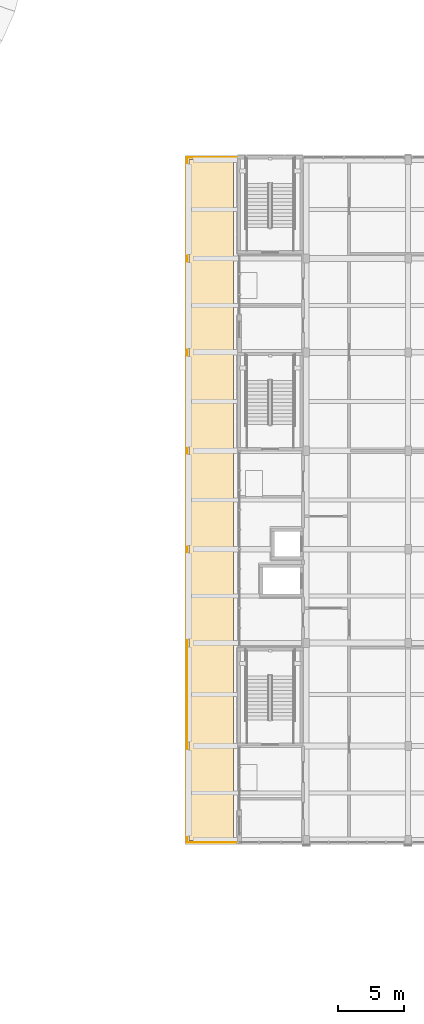
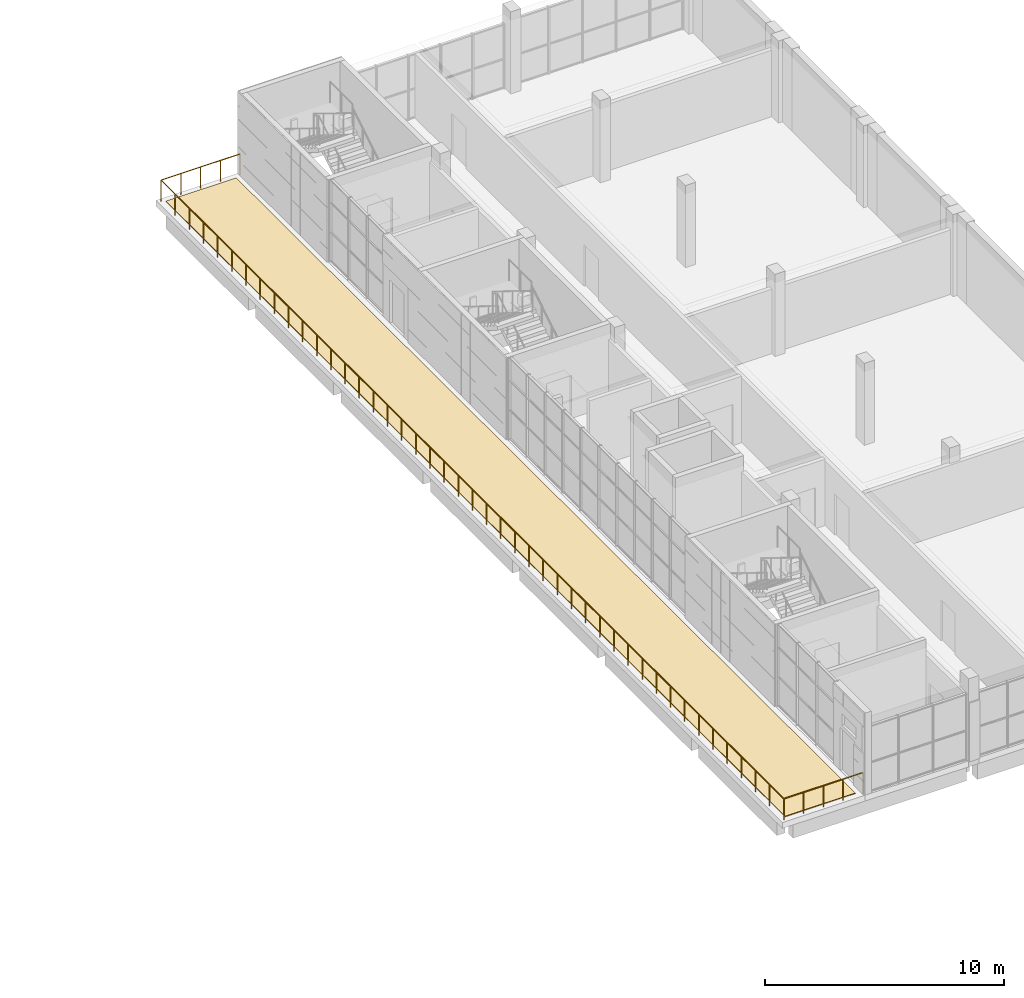
# One storey, part 34 of 36: 1 covering, 1 railing.
"""IFC4 building model written with IfcOpenShell, lengths in metres."""

from ifc_helpers import new_model, si_unit, direction, frame, origin, origin_2d, place, context, subcontext, project, spatial, polyline, circle, outline, extrude, material, layer, layer_set, type_object, element, save


model = new_model("IFC4")

# Units and contexts
model_context = context("Model", 3, precision=1e-05, world=origin(), true_north=direction((0.0, 1.0)))
body_context = subcontext(model_context, "Body", "Model", "MODEL_VIEW")
ifc_project = project(units=[si_unit("LENGTHUNIT", "METRE"), si_unit("AREAUNIT", "SQUARE_METRE"), si_unit("VOLUMEUNIT", "CUBIC_METRE"), si_unit("PLANEANGLEUNIT", "RADIAN"), si_unit("MASSUNIT", "GRAM", prefix="KILO")], contexts=[model_context])

# Site, building, storey
site_placement = place(None, origin())
site = spatial("IfcSite", under=ifc_project, at=site_placement, CompositionType="ELEMENT")
building_placement = place(site_placement, origin())
building = spatial("IfcBuilding", under=site, at=building_placement, Name="Sun Court Science Centre", CompositionType="ELEMENT")
storey_placement = place(building_placement, frame((0.0, 0.0, 24.75)))
storey = spatial("IfcBuildingStorey", under=building, at=storey_placement, Name="L05", CompositionType="ELEMENT", Elevation=24.75)

# Railing
ifc_material_1 = material(Name="Steel S275", Category="steel")
railing_type = type_object("IfcRailingType", Name="Roof guard 1100 steel balustrade", PredefinedType="GUARDRAIL", material=ifc_material_1)
railing_placement = place(storey_placement, frame((81.97900390625, 28.64990234375, 0.0)))
element("IfcRailing", 1, at=railing_placement, inside=storey, type_object=railing_type, Name="West terrace guard", PredefinedType="GUARDRAIL", context=body_context, shape_type="SweptSolid", body=[
    extrude(circle(Radius=0.02392578125, at=origin_2d()), frame((0.0, 0.0, 1.076171875), z_axis=(-1.0, 0.0, 0.0), x_axis=(0.0, -1.0, 0.0)), (0.0, 0.0, 1.0), 3.8291015625),
    extrude(circle(Radius=0.02392578125, at=origin_2d()), frame((-3.8291015625, 0.0, 1.076171875), z_axis=(0.0, 1.0, 0.0), x_axis=(-1.0, 0.0, 0.0)), (0.0, 0.0, 1.0), 52.2001953125),
    extrude(circle(Radius=0.02392578125, at=origin_2d()), frame((-3.8291015625, 52.2001953125, 1.076171875), z_axis=(1.0, 0.0, 0.0), x_axis=(0.0, 1.0, 0.0)), (0.0, 0.0, 1.0), 3.8291015625),
    extrude(circle(Radius=0.02099609375, at=origin_2d()), origin(), (0.0, 0.0, 1.0), 1.052001953125),
    extrude(circle(Radius=0.02099609375, at=origin_2d()), frame((-0.957275390625, 0.0, 0.0)), (0.0, 0.0, 1.0), 1.052001953125),
    extrude(circle(Radius=0.02099609375, at=origin_2d()), frame((-1.91455078125, 0.0, 0.0)), (0.0, 0.0, 1.0), 1.052001953125),
    extrude(circle(Radius=0.02099609375, at=origin_2d()), frame((-2.871826171875, 0.0, 0.0)), (0.0, 0.0, 1.0), 1.052001953125),
    extrude(circle(Radius=0.02099609375, at=origin_2d()), frame((-3.8291015625, 0.0, 0.0)), (0.0, 0.0, 1.0), 1.052001953125),
    extrude(circle(Radius=0.02099609375, at=origin_2d()), frame((-3.8291015625, 1.186279296875, 0.0)), (0.0, 0.0, 1.0), 1.052001953125),
    extrude(circle(Radius=0.02099609375, at=origin_2d()), frame((-3.8291015625, 2.372802734375, 0.0)), (0.0, 0.0, 1.0), 1.052001953125),
    extrude(circle(Radius=0.02099609375, at=origin_2d()), frame((-3.8291015625, 3.55908203125, 0.0)), (0.0, 0.0, 1.0), 1.052001953125),
    extrude(circle(Radius=0.02099609375, at=origin_2d()), frame((-3.8291015625, 4.745361328125, 0.0)), (0.0, 0.0, 1.0), 1.052001953125),
    extrude(circle(Radius=0.02099609375, at=origin_2d()), frame((-3.8291015625, 5.931884765625, 0.0)), (0.0, 0.0, 1.0), 1.052001953125),
    extrude(circle(Radius=0.02099609375, at=origin_2d()), frame((-3.8291015625, 7.1181640625, 0.0)), (0.0, 0.0, 1.0), 1.052001953125),
    extrude(circle(Radius=0.02099609375, at=origin_2d()), frame((-3.8291015625, 8.3046875, 0.0)), (0.0, 0.0, 1.0), 1.052001953125),
    extrude(circle(Radius=0.02099609375, at=origin_2d()), frame((-3.8291015625, 9.490966796875, 0.0)), (0.0, 0.0, 1.0), 1.052001953125),
    extrude(circle(Radius=0.02099609375, at=origin_2d()), frame((-3.8291015625, 10.67724609375, 0.0)), (0.0, 0.0, 1.0), 1.052001953125),
    extrude(circle(Radius=0.02099609375, at=origin_2d()), frame((-3.8291015625, 11.86376953125, 0.0)), (0.0, 0.0, 1.0), 1.052001953125),
    extrude(circle(Radius=0.02099609375, at=origin_2d()), frame((-3.8291015625, 13.050048828125, 0.0)), (0.0, 0.0, 1.0), 1.052001953125),
    extrude(circle(Radius=0.02099609375, at=origin_2d()), frame((-3.8291015625, 14.236328125, 0.0)), (0.0, 0.0, 1.0), 1.052001953125),
    extrude(circle(Radius=0.02099609375, at=origin_2d()), frame((-3.8291015625, 15.4228515625, 0.0)), (0.0, 0.0, 1.0), 1.052001953125),
    extrude(circle(Radius=0.02099609375, at=origin_2d()), frame((-3.8291015625, 16.609130859375, 0.0)), (0.0, 0.0, 1.0), 1.052001953125),
    extrude(circle(Radius=0.02099609375, at=origin_2d()), frame((-3.8291015625, 17.79541015625, 0.0)), (0.0, 0.0, 1.0), 1.052001953125),
    extrude(circle(Radius=0.02099609375, at=origin_2d()), frame((-3.8291015625, 18.98193359375, 0.0)), (0.0, 0.0, 1.0), 1.052001953125),
    extrude(circle(Radius=0.02099609375, at=origin_2d()), frame((-3.8291015625, 20.168212890625, 0.0)), (0.0, 0.0, 1.0), 1.052001953125),
    extrude(circle(Radius=0.02099609375, at=origin_2d()), frame((-3.8291015625, 21.354736328125, 0.0)), (0.0, 0.0, 1.0), 1.052001953125),
    extrude(circle(Radius=0.02099609375, at=origin_2d()), frame((-3.8291015625, 22.541015625, 0.0)), (0.0, 0.0, 1.0), 1.052001953125),
    extrude(circle(Radius=0.02099609375, at=origin_2d()), frame((-3.8291015625, 23.727294921875, 0.0)), (0.0, 0.0, 1.0), 1.052001953125),
    extrude(circle(Radius=0.02099609375, at=origin_2d()), frame((-3.8291015625, 24.913818359375, 0.0)), (0.0, 0.0, 1.0), 1.052001953125),
    extrude(circle(Radius=0.02099609375, at=origin_2d()), frame((-3.8291015625, 26.10009765625, 0.0)), (0.0, 0.0, 1.0), 1.052001953125),
    extrude(circle(Radius=0.02099609375, at=origin_2d()), frame((-3.8291015625, 27.286376953125, 0.0)), (0.0, 0.0, 1.0), 1.052001953125),
    extrude(circle(Radius=0.02099609375, at=origin_2d()), frame((-3.8291015625, 28.472900390625, 0.0)), (0.0, 0.0, 1.0), 1.052001953125),
    extrude(circle(Radius=0.02099609375, at=origin_2d()), frame((-3.8291015625, 29.6591796875, 0.0)), (0.0, 0.0, 1.0), 1.052001953125),
    extrude(circle(Radius=0.02099609375, at=origin_2d()), frame((-3.8291015625, 30.845458984375, 0.0)), (0.0, 0.0, 1.0), 1.052001953125),
    extrude(circle(Radius=0.02099609375, at=origin_2d()), frame((-3.8291015625, 32.031982421875, 0.0)), (0.0, 0.0, 1.0), 1.052001953125),
    extrude(circle(Radius=0.02099609375, at=origin_2d()), frame((-3.8291015625, 33.21826171875, 0.0)), (0.0, 0.0, 1.0), 1.052001953125),
    extrude(circle(Radius=0.02099609375, at=origin_2d()), frame((-3.8291015625, 34.40478515625, 0.0)), (0.0, 0.0, 1.0), 1.052001953125),
    extrude(circle(Radius=0.02099609375, at=origin_2d()), frame((-3.8291015625, 35.591064453125, 0.0)), (0.0, 0.0, 1.0), 1.052001953125),
    extrude(circle(Radius=0.02099609375, at=origin_2d()), frame((-3.8291015625, 36.77734375, 0.0)), (0.0, 0.0, 1.0), 1.052001953125),
    extrude(circle(Radius=0.02099609375, at=origin_2d()), frame((-3.8291015625, 37.9638671875, 0.0)), (0.0, 0.0, 1.0), 1.052001953125),
    extrude(circle(Radius=0.02099609375, at=origin_2d()), frame((-3.8291015625, 39.150146484375, 0.0)), (0.0, 0.0, 1.0), 1.052001953125),
    extrude(circle(Radius=0.02099609375, at=origin_2d()), frame((-3.8291015625, 40.33642578125, 0.0)), (0.0, 0.0, 1.0), 1.052001953125),
    extrude(circle(Radius=0.02099609375, at=origin_2d()), frame((-3.8291015625, 41.52294921875, 0.0)), (0.0, 0.0, 1.0), 1.052001953125),
    extrude(circle(Radius=0.02099609375, at=origin_2d()), frame((-3.8291015625, 42.709228515625, 0.0)), (0.0, 0.0, 1.0), 1.052001953125),
    extrude(circle(Radius=0.02099609375, at=origin_2d()), frame((-3.8291015625, 43.8955078125, 0.0)), (0.0, 0.0, 1.0), 1.052001953125),
    extrude(circle(Radius=0.02099609375, at=origin_2d()), frame((-3.8291015625, 45.08203125, 0.0)), (0.0, 0.0, 1.0), 1.052001953125),
    extrude(circle(Radius=0.02099609375, at=origin_2d()), frame((-3.8291015625, 46.268310546875, 0.0)), (0.0, 0.0, 1.0), 1.052001953125),
    extrude(circle(Radius=0.02099609375, at=origin_2d()), frame((-3.8291015625, 47.454833984375, 0.0)), (0.0, 0.0, 1.0), 1.052001953125),
    extrude(circle(Radius=0.02099609375, at=origin_2d()), frame((-3.8291015625, 48.64111328125, 0.0)), (0.0, 0.0, 1.0), 1.052001953125),
    extrude(circle(Radius=0.02099609375, at=origin_2d()), frame((-3.8291015625, 49.827392578125, 0.0)), (0.0, 0.0, 1.0), 1.052001953125),
    extrude(circle(Radius=0.02099609375, at=origin_2d()), frame((-3.8291015625, 51.013916015625, 0.0)), (0.0, 0.0, 1.0), 1.052001953125),
    extrude(circle(Radius=0.02099609375, at=origin_2d()), frame((-3.8291015625, 52.2001953125, 0.0)), (0.0, 0.0, 1.0), 1.052001953125),
    extrude(circle(Radius=0.02099609375, at=origin_2d()), frame((-2.871826171875, 52.2001953125, 0.0)), (0.0, 0.0, 1.0), 1.052001953125),
    extrude(circle(Radius=0.02099609375, at=origin_2d()), frame((-1.91455078125, 52.2001953125, 0.0)), (0.0, 0.0, 1.0), 1.052001953125),
    extrude(circle(Radius=0.02099609375, at=origin_2d()), frame((-0.957275390625, 52.2001953125, 0.0)), (0.0, 0.0, 1.0), 1.052001953125),
    extrude(circle(Radius=0.02099609375, at=origin_2d()), frame((0.0, 52.2001953125, 0.0)), (0.0, 0.0, 1.0), 1.052001953125),
])

# Covering
ifc_material_2 = material(Name="Sandstone paving", Category="masonry")
ifc_layer = layer(ifc_material_2, 0.0400390625)
ifc_layer_set = layer_set([ifc_layer], Name="Sandstone paving")
covering_type = type_object("IfcCoveringType", Name="Terrace paving 40", PredefinedType="FLOORING", material=ifc_layer_set)
covering_placement = place(storey_placement, origin())
element("IfcCovering", 2, at=covering_placement, inside=storey, type_object=covering_type, Name="West terrace paving", PredefinedType="FLOORING", context=body_context, shape_type="SweptSolid", body=[
    extrude(outline(polyline([(78.300048828125, 28.800048828125), (78.300048828125, 80.699951171875), (81.699951171875, 80.699951171875), (81.699951171875, 73.5), (81.699951171875, 66.0), (81.699951171875, 58.5), (81.699951171875, 43.5), (81.699951171875, 36.0), (81.699951171875, 28.800048828125), (78.300048828125, 28.800048828125)])), origin(), (0.0, 0.0, 1.0), 0.0400390625),
])

save(model, "model.ifc")
